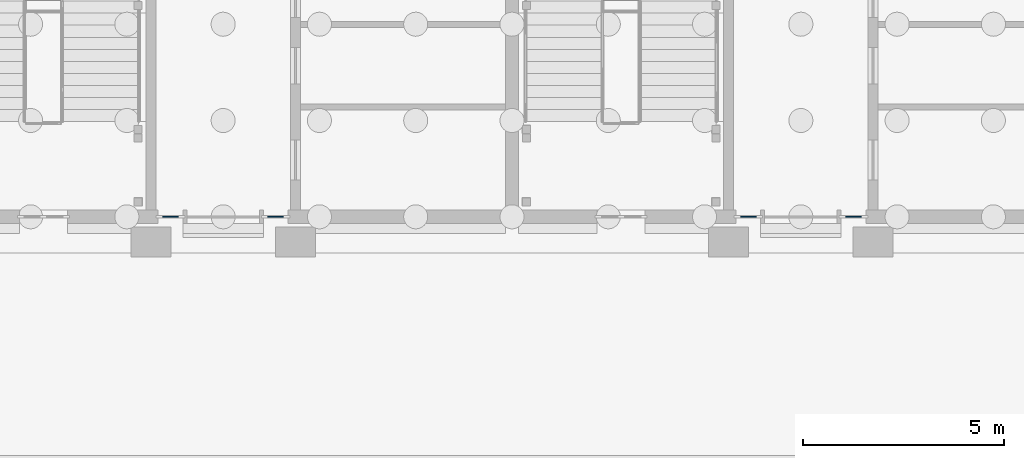
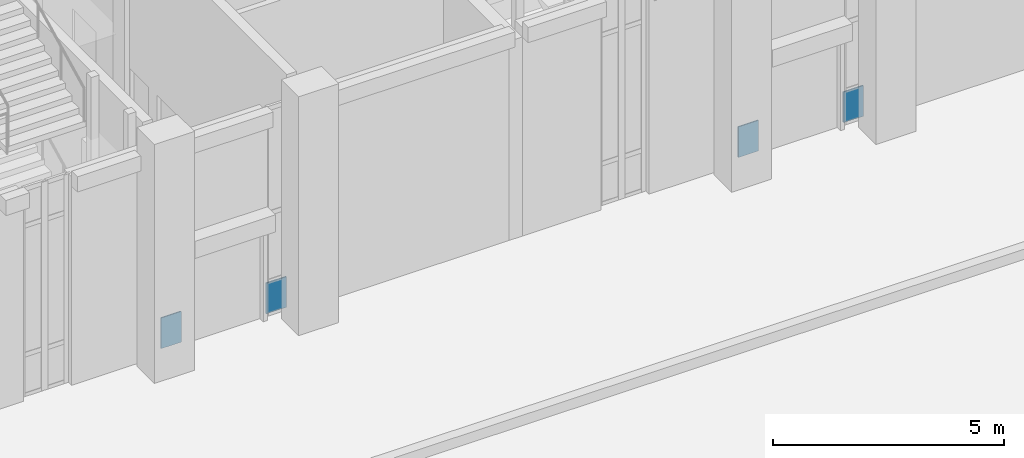
# One storey, part 30 of 84: 4 plates, 4 elements without a shape of their own.
"""IFC4 building model written with IfcOpenShell, lengths in metres."""

from ifc_helpers import new_model, si_unit, direction, frame, origin, origin_2d, place, context, subcontext, project, spatial, rectangle, extrude, material, layer, layer_set, type_object, element, aggregate, save


model = new_model("IFC4")

# Units and contexts
model_context = context("Model", 3, precision=1e-05, world=origin(), true_north=direction((0.0, 1.0)))
body_context = subcontext(model_context, "Body", "Model", "MODEL_VIEW")
ifc_project = project(units=[si_unit("LENGTHUNIT", "METRE"), si_unit("AREAUNIT", "SQUARE_METRE"), si_unit("VOLUMEUNIT", "CUBIC_METRE"), si_unit("PLANEANGLEUNIT", "RADIAN"), si_unit("MASSUNIT", "GRAM", prefix="KILO")], contexts=[model_context])

# Site, building, storey
site_placement = place(None, origin())
site = spatial("IfcSite", under=ifc_project, at=site_placement, CompositionType="ELEMENT")
building_placement = place(site_placement, origin())
building = spatial("IfcBuilding", under=site, at=building_placement, Name="Mazhai Court Health Centre", CompositionType="ELEMENT")
storey_placement = place(building_placement, origin())
storey = spatial("IfcBuildingStorey", under=building, at=storey_placement, Name="L00", CompositionType="ELEMENT", Elevation=0.0)

# Curtain wall, plate
ifc_material_1 = material(Name="Teak timber frame, glazed", Category="wood")
ifc_layer_1 = layer(ifc_material_1, 0.10009765625)
ifc_layer_set_1 = layer_set([ifc_layer_1], Name="CURTAIN WALL TIMBER 620")
curtain_wall_type = type_object("IfcCurtainWallType", Name="CURTAIN WALL TIMBER 620", PredefinedType="NOTDEFINED", material=ifc_layer_set_1)
curtain_wall_1_placement = place(storey_placement, origin())
curtain_wall_1 = element("IfcCurtainWall", 1, at=curtain_wall_1_placement, inside=storey, type_object=curtain_wall_type, Name="CW-V2-L00-SSL1", PredefinedType="NOTDEFINED")
ifc_material_2 = material(Name="Glass IGU 28 mm", Category="glass")
ifc_layer_2 = layer(ifc_material_2, 0.028076171875)
ifc_layer_set_2 = layer_set([ifc_layer_2], Name="CW PANEL IGU 28")
plate_type = type_object("IfcPlateType", Name="CW PANEL IGU 28", PredefinedType="CURTAIN_PANEL", material=ifc_layer_set_2)
plate_1_placement = place(storey_placement, frame((12.090087890625, 6.199951171875, 0.06005859375), z_axis=(0.0, 0.0, 1.0), x_axis=(-1.0, 0.0, 0.0)))
plate_1 = element("IfcPlate", 2, at=plate_1_placement, type_object=plate_type, Name="CW panel 1.1", PredefinedType="CURTAIN_PANEL", context=body_context, shape_type="SweptSolid", body=[
    extrude(rectangle(XDim=0.5, YDim=0.028076171875, at=origin_2d()), origin(), (0.0, 0.0, 1.0), 0.81005859375),
])
aggregate(curtain_wall_1, [plate_1])

curtain_wall_2_placement = place(storey_placement, origin())
curtain_wall_2 = element("IfcCurtainWall", 3, at=curtain_wall_2_placement, inside=storey, type_object=curtain_wall_type, Name="CW-V2-L00-SSL2", PredefinedType="NOTDEFINED")
plate_2_placement = place(storey_placement, frame((14.7099609375, 6.199951171875, 0.06005859375), z_axis=(0.0, 0.0, 1.0), x_axis=(-1.0, 0.0, 0.0)))
plate_2 = element("IfcPlate", 4, at=plate_2_placement, type_object=plate_type, Name="CW panel 1.1", PredefinedType="CURTAIN_PANEL", context=body_context, shape_type="SweptSolid", body=[
    extrude(rectangle(XDim=0.5, YDim=0.028076171875, at=origin_2d()), origin(), (0.0, 0.0, 1.0), 0.81005859375),
])
aggregate(curtain_wall_2, [plate_2])

curtain_wall_3_placement = place(storey_placement, origin())
curtain_wall_3 = element("IfcCurtainWall", 5, at=curtain_wall_3_placement, inside=storey, type_object=curtain_wall_type, Name="CW-V5-L00-SSL1", PredefinedType="NOTDEFINED")
plate_3_placement = place(storey_placement, frame((26.489990234375, 6.199951171875, 0.06005859375), z_axis=(0.0, 0.0, 1.0), x_axis=(-1.0, 0.0, 0.0)))
plate_3 = element("IfcPlate", 6, at=plate_3_placement, type_object=plate_type, Name="CW panel 1.1", PredefinedType="CURTAIN_PANEL", context=body_context, shape_type="SweptSolid", body=[
    extrude(rectangle(XDim=0.5, YDim=0.028076171875, at=origin_2d()), origin(), (0.0, 0.0, 1.0), 0.81005859375),
])
aggregate(curtain_wall_3, [plate_3])

curtain_wall_4_placement = place(storey_placement, origin())
curtain_wall_4 = element("IfcCurtainWall", 7, at=curtain_wall_4_placement, inside=storey, type_object=curtain_wall_type, Name="CW-V5-L00-SSL2", PredefinedType="NOTDEFINED")
plate_4_placement = place(storey_placement, frame((29.110107421875, 6.199951171875, 0.06005859375), z_axis=(0.0, 0.0, 1.0), x_axis=(-1.0, 0.0, 0.0)))
plate_4 = element("IfcPlate", 8, at=plate_4_placement, type_object=plate_type, Name="CW panel 1.1", PredefinedType="CURTAIN_PANEL", context=body_context, shape_type="SweptSolid", body=[
    extrude(rectangle(XDim=0.5, YDim=0.028076171875, at=origin_2d()), origin(), (0.0, 0.0, 1.0), 0.81005859375),
])
aggregate(curtain_wall_4, [plate_4])

save(model, "model.ifc")
